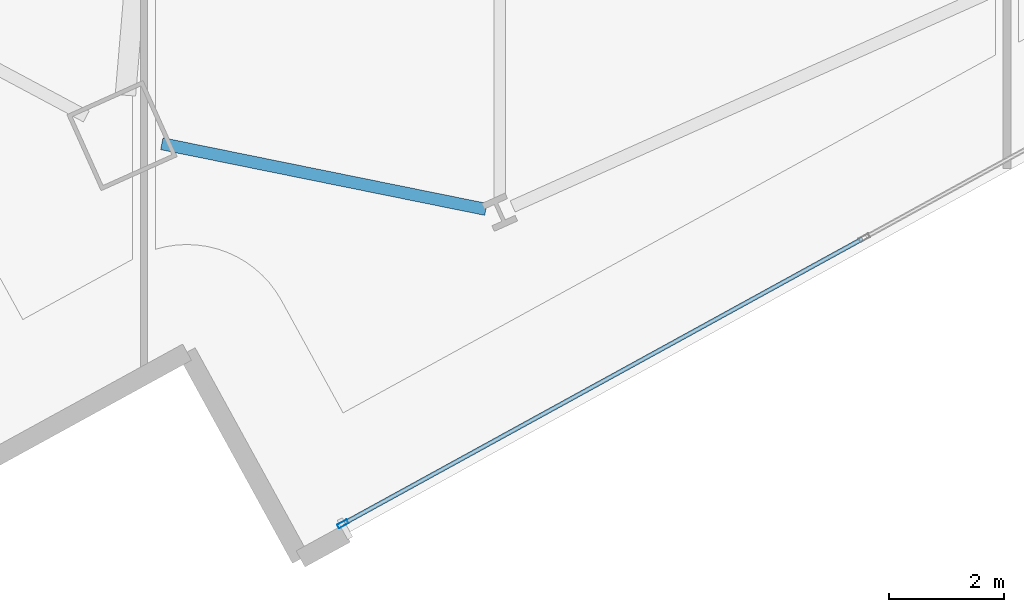
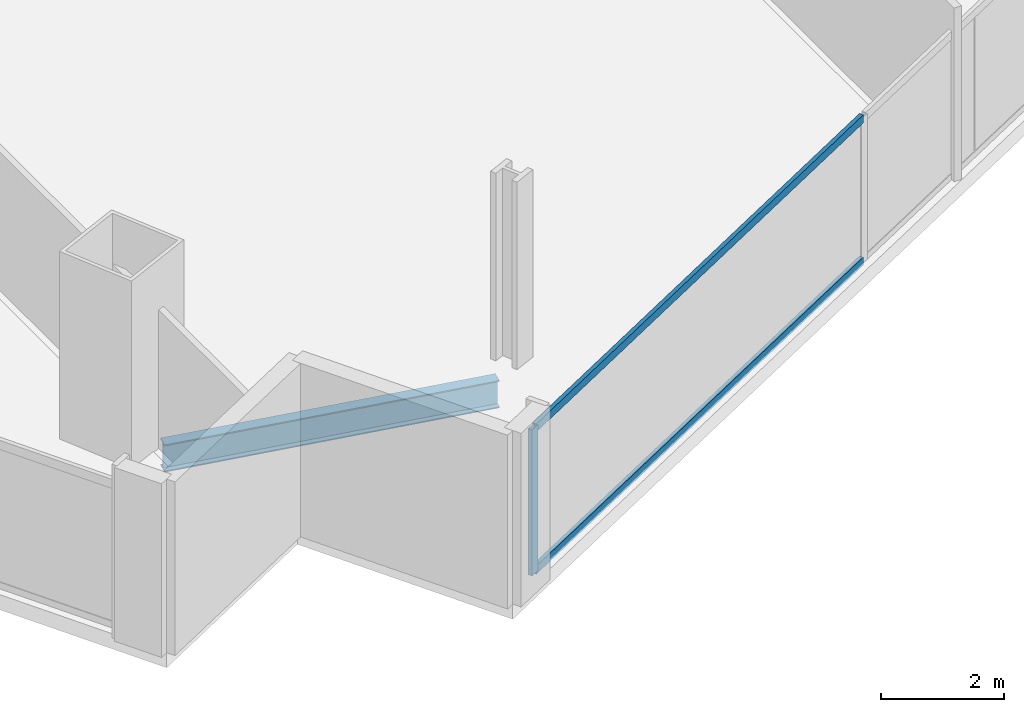
# One storey, part 3 of 33: 3 members, 1 beam, 1 element without a shape of its own.
"""IFC4 building model written with IfcOpenShell, lengths in metres."""

from ifc_helpers import new_model, si_unit, direction, frame, origin, origin_2d, place, context, subcontext, project, spatial, hollow_rectangle, i_section, extrude, material, material_profile, profile_set, type_object, element, aggregate, save


model = new_model("IFC4")

# Units and contexts
model_context = context("Model", 3, precision=1e-05, world=origin(), true_north=direction((0.0, 1.0)))
body_context = subcontext(model_context, "Body", "Model", "MODEL_VIEW")
ifc_project = project(units=[si_unit("LENGTHUNIT", "METRE"), si_unit("AREAUNIT", "SQUARE_METRE"), si_unit("VOLUMEUNIT", "CUBIC_METRE"), si_unit("PLANEANGLEUNIT", "RADIAN"), si_unit("MASSUNIT", "GRAM", prefix="KILO")], contexts=[model_context])

# Site, building, storey
site_placement = place(None, origin())
site = spatial("IfcSite", under=ifc_project, at=site_placement, CompositionType="ELEMENT")
building_placement = place(site_placement, origin())
building = spatial("IfcBuilding", under=site, at=building_placement, Name="Haldenkirk Collegiate Tower", CompositionType="ELEMENT")
storey_placement = place(building_placement, frame((0.0, 0.0, 124.199951171875)))
storey = spatial("IfcBuildingStorey", under=building, at=storey_placement, Name="L30", CompositionType="ELEMENT", Elevation=124.199951171875)

# Beam
ifc_material_1 = material(Name="Steel ASTM A992 Grade 50", Category="steel")
ifc_material_profile_1 = material_profile(ifc_material_1, i_section(OverallWidth=0.2119140625, OverallDepth=0.5439453125, WebThickness=0.01318359375, FlangeThickness=0.021240234375, at=origin_2d()), Name="W21X83")
ifc_profile_set_1 = profile_set([ifc_material_profile_1], Name="Steel ASTM A992 Grade 50")
beam_type = type_object("IfcBeamType", Name="BM-SPANDREL-W21X83", PredefinedType="SPANDREL", material=ifc_profile_set_1)
beam_placement = place(storey_placement, frame((26.3076171875, 1.477783203125, -0.572021484375), z_axis=(0.980077587146, -0.19861501246, 0.0), x_axis=(0.19861501246, 0.980077587146, 0.0)))
element("IfcBeam", 1, at=beam_placement, inside=storey, type_object=beam_type, Name="L30 perimeter spandrel beam 01", PredefinedType="SPANDREL", context=body_context, shape_type="SweptSolid", body=[
    extrude(i_section(OverallWidth=0.2119140625, OverallDepth=0.5439453125, WebThickness=0.01318359375, FlangeThickness=0.021240234375, at=origin_2d()), origin(), (0.0, 0.0, 1.0), 5.747802734375),
])

# Curtain wall, members
ifc_material_2 = material(Name="Anodised architectural bronze aluminium", Category="aluminium")
curtain_wall_type = type_object("IfcCurtainWallType", Name="CW-SYS2-CONCAVE", PredefinedType="USERDEFINED", material=ifc_material_2)
curtain_wall_placement = place(storey_placement, origin())
curtain_wall = element("IfcCurtainWall", 2, at=curtain_wall_placement, inside=storey, type_object=curtain_wall_type, Name="L30 South concave recessed bronze-anodised curtain wall", ObjectType="UNITISED CURTAIN WALL", PredefinedType="USERDEFINED")
ifc_material_profile_2 = material_profile(ifc_material_2, hollow_rectangle(XDim=0.074951171875, YDim=0.18994140625, WallThickness=0.0048828125, at=origin_2d()), Name="CW-MUL-02")
ifc_profile_set_2 = profile_set([ifc_material_profile_2], Name="Anodised architectural bronze aluminium")
member_type_1 = type_object("IfcMemberType", Name="CW-MUL-02", PredefinedType="MULLION", material=ifc_profile_set_2)
member_1_placement = place(storey_placement, frame((29.454345703125, -5.131103515625, 0.0), z_axis=(0.0, 0.0, 1.0), x_axis=(0.480988754199, -0.876726763783, 0.0)))
member_1 = element("IfcMember", 3, at=member_1_placement, type_object=member_type_1, Name="CW-02 mullion 5", PredefinedType="MULLION", context=body_context, shape_type="SweptSolid", body=[
    extrude(hollow_rectangle(XDim=0.074951171875, YDim=0.18994140625, WallThickness=0.0048828125, at=origin_2d()), origin(), (0.0, 0.0, 1.0), 2.901123046875),
])
ifc_material_profile_3 = material_profile(ifc_material_2, hollow_rectangle(XDim=0.074951171875, YDim=0.159912109375, WallThickness=0.0048828125, at=origin_2d()), Name="CW-TRN-02")
ifc_profile_set_3 = profile_set([ifc_material_profile_3], Name="Anodised architectural bronze aluminium")
member_type_2 = type_object("IfcMemberType", Name="CW-TRN-02", PredefinedType="USERDEFINED", material=ifc_profile_set_3)
member_2_placement = place(storey_placement, frame((38.484619140625, -0.177001953125, 0.03759765625), z_axis=(-0.876734748619, -0.480974199478, 0.0), x_axis=(0.480974199478, -0.876734748619, 0.0)))
member_2 = element("IfcMember", 4, at=member_2_placement, type_object=member_type_2, Name="CW-02 transom 4.1", ObjectType="TRANSOM", PredefinedType="USERDEFINED", context=body_context, shape_type="SweptSolid", body=[
    extrude(hollow_rectangle(XDim=0.074951171875, YDim=0.159912109375, WallThickness=0.0048828125, at=origin_2d()), origin(), (0.0, 0.0, 1.0), 10.2626953125),
])
member_3_placement = place(storey_placement, frame((38.484619140625, -0.177001953125, 2.863525390625), z_axis=(-0.876734748619, -0.480974199478, 0.0), x_axis=(0.480974199478, -0.876734748619, 0.0)))
member_3 = element("IfcMember", 5, at=member_3_placement, type_object=member_type_2, Name="CW-02 transom 4.2", ObjectType="TRANSOM", PredefinedType="USERDEFINED", context=body_context, shape_type="SweptSolid", body=[
    extrude(hollow_rectangle(XDim=0.074951171875, YDim=0.159912109375, WallThickness=0.0048828125, at=origin_2d()), origin(), (0.0, 0.0, 1.0), 10.2626953125),
])
aggregate(curtain_wall, [member_1, member_2, member_3])

save(model, "model.ifc")
